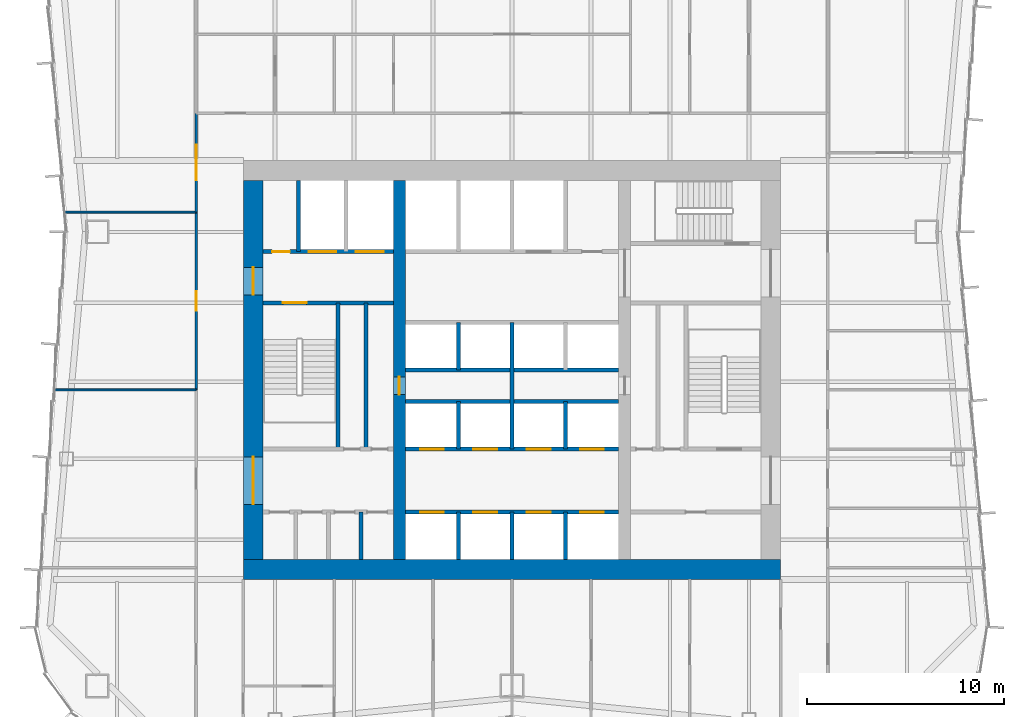
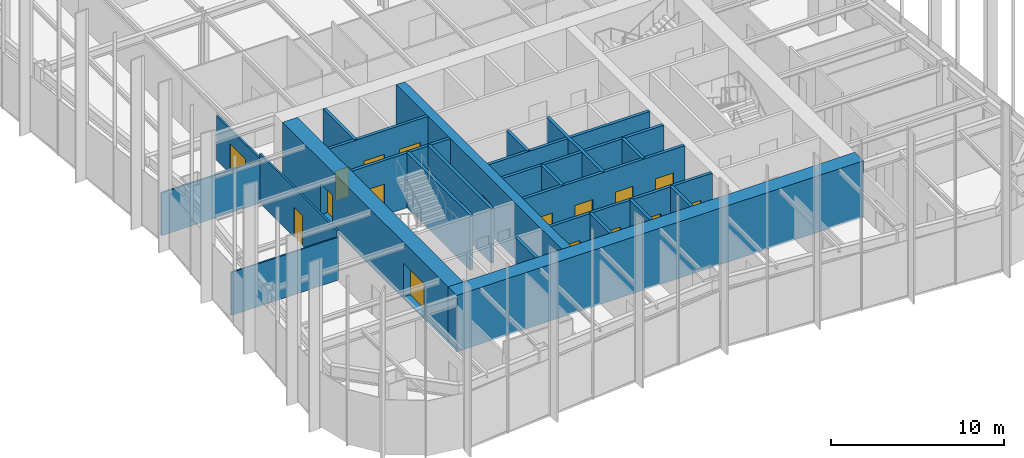
# One storey, part 10 of 14: 24 walls, 17 doors, 17 openings.
"""IFC4 building model written with IfcOpenShell, lengths in metres."""

from ifc_helpers import new_model, si_unit, direction, frame, frame_2d, origin, place, context, subcontext, project, spatial, rectangle, extrude, material, layer, layer_set, type_object, element, fill, save


model = new_model("IFC4")

# Units and contexts
model_context = context("Model", 3, precision=1e-05, world=origin(), true_north=direction((0.0, 1.0)))
body_context = subcontext(model_context, "Body", "Model", "MODEL_VIEW")
ifc_project = project(units=[si_unit("LENGTHUNIT", "METRE"), si_unit("AREAUNIT", "SQUARE_METRE"), si_unit("VOLUMEUNIT", "CUBIC_METRE"), si_unit("PLANEANGLEUNIT", "RADIAN"), si_unit("MASSUNIT", "GRAM", prefix="KILO")], contexts=[model_context])

# Site, building, storey
site_placement = place(None, origin())
site = spatial("IfcSite", under=ifc_project, at=site_placement, CompositionType="ELEMENT")
building_placement = place(site_placement, origin())
building = spatial("IfcBuilding", under=site, at=building_placement, Name="Verdant Reach Tower", CompositionType="ELEMENT")
storey_placement = place(building_placement, frame((0.0, 0.0, 150.0)))
storey = spatial("IfcBuildingStorey", under=building, at=storey_placement, Name="L34", CompositionType="ELEMENT", Elevation=150.0)

# Walls
ifc_material_1 = material(Name="Gypsum board on steel studs", Category="steel")
ifc_layer_1 = layer(ifc_material_1, 0.199951171875)
ifc_layer_set_1 = layer_set([ifc_layer_1], Name="CO-WALL-ROOM")
wall_type_1 = type_object("IfcWallType", Name="CO-WALL-ROOM", PredefinedType="PARTITIONING", material=ifc_layer_set_1)
wall_1_placement = place(storey_placement, frame((-7.64990234375, 18.39990234375, 0.0), z_axis=(0.0, 0.0, 1.0), x_axis=(0.0, 1.0, 0.0)))
element("IfcWall", 1, at=wall_1_placement, inside=storey, type_object=wall_type_1, Name="Core partition, L34", PredefinedType="PARTITIONING", context=body_context, shape_type="SweptSolid", body=[
    extrude(rectangle(XDim=2.400146484375, YDim=0.199951171875, at=frame_2d((1.2001953125, 0.0))), origin(), (0.0, 0.0, 1.0), 3.8701171875),
])
wall_2_placement = place(storey_placement, frame((-7.39990234375, 24.0, 0.0), z_axis=(0.0, 0.0, 1.0), x_axis=(0.0, 1.0, 0.0)))
element("IfcWall", 2, at=wall_2_placement, inside=storey, type_object=wall_type_1, Name="Core partition, L34", PredefinedType="PARTITIONING", context=body_context, shape_type="SweptSolid", body=[
    extrude(rectangle(XDim=7.39990234375, YDim=0.199951171875, at=frame_2d((3.699951171875, 0.0))), origin(), (0.0, 0.0, 1.0), 3.8701171875),
])

# Wall, openings, doors
ifc_material_2 = material(Name="Concrete C40/50", Category="concrete")
ifc_layer_2 = layer(ifc_material_2, 0.199951171875)
ifc_layer_set_2 = layer_set([ifc_layer_2], Name="CO-WALL-SHAFT")
wall_type_2 = type_object("IfcWallType", Name="CO-WALL-SHAFT", PredefinedType="PARTITIONING", material=ifc_layer_set_2)
wall_3_placement = place(storey_placement, frame((-5.39990234375, 20.800048828125, 0.0), z_axis=(0.0, 0.0, 1.0), x_axis=(1.0, 0.0, 0.0)))
wall_3 = element("IfcWall", 3, at=wall_3_placement, inside=storey, type_object=wall_type_2, Name="Lift shaft wall, L34", PredefinedType="PARTITIONING", context=body_context, shape_type="SweptSolid", body=[
    extrude(rectangle(XDim=10.7998046875, YDim=0.199951171875, at=frame_2d((5.39990234375, 0.0))), origin(), (0.0, 0.0, 1.0), 3.8701171875),
])
opening_1_placement = place(wall_3_placement, frame((0.75, 0.0, 0.0)))
opening_1 = element("IfcOpeningElement", 4, at=opening_1_placement, cuts=wall_3, Name="Opening LD-A1", PredefinedType="OPENING", context=body_context, shape_type="SweptSolid", body=[
    extrude(rectangle(XDim=1.199951171875, YDim=2.199951171875, at=frame_2d((0.60009765625, 1.10009765625))), frame((0.0, 0.10986328125, 0.0), z_axis=(0.0, -1.0, 0.0), x_axis=(1.0, 0.0, 0.0)), (0.0, 0.0, 1.0), 0.219970703125),
])
opening_2_placement = place(wall_3_placement, frame((3.449951171875, 0.0, 0.0)))
opening_2 = element("IfcOpeningElement", 5, at=opening_2_placement, cuts=wall_3, Name="Opening LD-A2", PredefinedType="OPENING", context=body_context, shape_type="SweptSolid", body=[
    extrude(rectangle(XDim=1.199951171875, YDim=2.199951171875, at=frame_2d((0.60009765625, 1.10009765625))), frame((0.0, 0.10986328125, 0.0), z_axis=(0.0, -1.0, 0.0), x_axis=(1.0, 0.0, 0.0)), (0.0, 0.0, 1.0), 0.219970703125),
])
opening_3_placement = place(wall_3_placement, frame((6.14990234375, 0.0, 0.0)))
opening_3 = element("IfcOpeningElement", 6, at=opening_3_placement, cuts=wall_3, Name="Opening LD-A3", PredefinedType="OPENING", context=body_context, shape_type="SweptSolid", body=[
    extrude(rectangle(XDim=1.199951171875, YDim=2.199951171875, at=frame_2d((0.60009765625, 1.10009765625))), frame((0.0, 0.10986328125, 0.0), z_axis=(0.0, -1.0, 0.0), x_axis=(1.0, 0.0, 0.0)), (0.0, 0.0, 1.0), 0.219970703125),
])
opening_4_placement = place(wall_3_placement, frame((8.85009765625, 0.0, 0.0)))
opening_4 = element("IfcOpeningElement", 7, at=opening_4_placement, cuts=wall_3, Name="Opening LD-A4", PredefinedType="OPENING", context=body_context, shape_type="SweptSolid", body=[
    extrude(rectangle(XDim=1.199951171875, YDim=2.199951171875, at=frame_2d((0.60009765625, 1.10009765625))), frame((0.0, 0.10986328125, 0.0), z_axis=(0.0, -1.0, 0.0), x_axis=(1.0, 0.0, 0.0)), (0.0, 0.0, 1.0), 0.219970703125),
])
ifc_material_3 = material(Name="Stainless steel", Category="steel")
door_type_1 = type_object("IfcDoorType", Name="CO-DOOR-LANDING", OperationType="SLIDING_TO_LEFT", PredefinedType="DOOR", material=ifc_material_3)
door_1_placement = place(opening_1_placement, origin())
door_1 = element("IfcDoor", 8, at=door_1_placement, inside=storey, type_object=door_type_1, Name="Landing door A1, L34", OperationType="SLIDING_TO_LEFT", OverallHeight=2.199951171875, OverallWidth=1.199951171875, PredefinedType="DOOR", context=body_context, shape_type="SweptSolid", body=[
    extrude(rectangle(XDim=1.199951171875, YDim=2.199951171875, at=frame_2d((0.60009765625, 1.10009765625))), frame((0.0, 0.02490234375, 0.0), z_axis=(0.0, -1.0, 0.0), x_axis=(1.0, 0.0, 0.0)), (0.0, 0.0, 1.0), 0.050048828125),
])
fill(opening_1, door_1)
door_2_placement = place(opening_2_placement, origin())
door_2 = element("IfcDoor", 9, at=door_2_placement, inside=storey, type_object=door_type_1, Name="Landing door A2, L34", OperationType="SLIDING_TO_LEFT", OverallHeight=2.199951171875, OverallWidth=1.199951171875, PredefinedType="DOOR", context=body_context, shape_type="SweptSolid", body=[
    extrude(rectangle(XDim=1.199951171875, YDim=2.199951171875, at=frame_2d((0.60009765625, 1.10009765625))), frame((0.0, 0.02490234375, 0.0), z_axis=(0.0, -1.0, 0.0), x_axis=(1.0, 0.0, 0.0)), (0.0, 0.0, 1.0), 0.050048828125),
])
fill(opening_2, door_2)
door_3_placement = place(opening_3_placement, origin())
door_3 = element("IfcDoor", 10, at=door_3_placement, inside=storey, type_object=door_type_1, Name="Landing door A3, L34", OperationType="SLIDING_TO_LEFT", OverallHeight=2.199951171875, OverallWidth=1.199951171875, PredefinedType="DOOR", context=body_context, shape_type="SweptSolid", body=[
    extrude(rectangle(XDim=1.199951171875, YDim=2.199951171875, at=frame_2d((0.60009765625, 1.10009765625))), frame((0.0, 0.02490234375, 0.0), z_axis=(0.0, -1.0, 0.0), x_axis=(1.0, 0.0, 0.0)), (0.0, 0.0, 1.0), 0.050048828125),
])
fill(opening_3, door_3)
door_4_placement = place(opening_4_placement, origin())
door_4 = element("IfcDoor", 11, at=door_4_placement, inside=storey, type_object=door_type_1, Name="Landing door A4, L34", OperationType="SLIDING_TO_LEFT", OverallHeight=2.199951171875, OverallWidth=1.199951171875, PredefinedType="DOOR", context=body_context, shape_type="SweptSolid", body=[
    extrude(rectangle(XDim=1.199951171875, YDim=2.199951171875, at=frame_2d((0.60009765625, 1.10009765625))), frame((0.0, 0.02490234375, 0.0), z_axis=(0.0, -1.0, 0.0), x_axis=(1.0, 0.0, 0.0)), (0.0, 0.0, 1.0), 0.050048828125),
])
fill(opening_4, door_4)

wall_4_placement = place(storey_placement, frame((-5.39990234375, 24.0, 0.0), z_axis=(0.0, 0.0, 1.0), x_axis=(1.0, 0.0, 0.0)))
wall_4 = element("IfcWall", 12, at=wall_4_placement, inside=storey, type_object=wall_type_2, Name="Lift shaft wall, L34", PredefinedType="PARTITIONING", context=body_context, shape_type="SweptSolid", body=[
    extrude(rectangle(XDim=10.7998046875, YDim=0.199951171875, at=frame_2d((5.39990234375, 0.0))), origin(), (0.0, 0.0, 1.0), 3.8701171875),
])
opening_5_placement = place(wall_4_placement, frame((0.75, 0.0, 0.0)))
opening_5 = element("IfcOpeningElement", 13, at=opening_5_placement, cuts=wall_4, Name="Opening LD-A5", PredefinedType="OPENING", context=body_context, shape_type="SweptSolid", body=[
    extrude(rectangle(XDim=1.199951171875, YDim=2.199951171875, at=frame_2d((0.60009765625, 1.10009765625))), frame((0.0, 0.10986328125, 0.0), z_axis=(0.0, -1.0, 0.0), x_axis=(1.0, 0.0, 0.0)), (0.0, 0.0, 1.0), 0.219970703125),
])
opening_6_placement = place(wall_4_placement, frame((3.449951171875, 0.0, 0.0)))
opening_6 = element("IfcOpeningElement", 14, at=opening_6_placement, cuts=wall_4, Name="Opening LD-A6", PredefinedType="OPENING", context=body_context, shape_type="SweptSolid", body=[
    extrude(rectangle(XDim=1.199951171875, YDim=2.199951171875, at=frame_2d((0.60009765625, 1.10009765625))), frame((0.0, 0.10986328125, 0.0), z_axis=(0.0, -1.0, 0.0), x_axis=(1.0, 0.0, 0.0)), (0.0, 0.0, 1.0), 0.219970703125),
])
opening_7_placement = place(wall_4_placement, frame((6.14990234375, 0.0, 0.0)))
opening_7 = element("IfcOpeningElement", 15, at=opening_7_placement, cuts=wall_4, Name="Opening LD-A7", PredefinedType="OPENING", context=body_context, shape_type="SweptSolid", body=[
    extrude(rectangle(XDim=1.199951171875, YDim=2.199951171875, at=frame_2d((0.60009765625, 1.10009765625))), frame((0.0, 0.10986328125, 0.0), z_axis=(0.0, -1.0, 0.0), x_axis=(1.0, 0.0, 0.0)), (0.0, 0.0, 1.0), 0.219970703125),
])
opening_8_placement = place(wall_4_placement, frame((8.85009765625, 0.0, 0.0)))
opening_8 = element("IfcOpeningElement", 16, at=opening_8_placement, cuts=wall_4, Name="Opening LD-A8", PredefinedType="OPENING", context=body_context, shape_type="SweptSolid", body=[
    extrude(rectangle(XDim=1.199951171875, YDim=2.199951171875, at=frame_2d((0.60009765625, 1.10009765625))), frame((0.0, 0.10986328125, 0.0), z_axis=(0.0, -1.0, 0.0), x_axis=(1.0, 0.0, 0.0)), (0.0, 0.0, 1.0), 0.219970703125),
])
door_5_placement = place(opening_5_placement, origin())
door_5 = element("IfcDoor", 17, at=door_5_placement, inside=storey, type_object=door_type_1, Name="Landing door A5, L34", OperationType="SLIDING_TO_LEFT", OverallHeight=2.199951171875, OverallWidth=1.199951171875, PredefinedType="DOOR", context=body_context, shape_type="SweptSolid", body=[
    extrude(rectangle(XDim=1.199951171875, YDim=2.199951171875, at=frame_2d((0.60009765625, 1.10009765625))), frame((0.0, 0.02490234375, 0.0), z_axis=(0.0, -1.0, 0.0), x_axis=(1.0, 0.0, 0.0)), (0.0, 0.0, 1.0), 0.050048828125),
])
fill(opening_5, door_5)
door_6_placement = place(opening_6_placement, origin())
door_6 = element("IfcDoor", 18, at=door_6_placement, inside=storey, type_object=door_type_1, Name="Landing door A6, L34", OperationType="SLIDING_TO_LEFT", OverallHeight=2.199951171875, OverallWidth=1.199951171875, PredefinedType="DOOR", context=body_context, shape_type="SweptSolid", body=[
    extrude(rectangle(XDim=1.199951171875, YDim=2.199951171875, at=frame_2d((0.60009765625, 1.10009765625))), frame((0.0, 0.02490234375, 0.0), z_axis=(0.0, -1.0, 0.0), x_axis=(1.0, 0.0, 0.0)), (0.0, 0.0, 1.0), 0.050048828125),
])
fill(opening_6, door_6)
door_7_placement = place(opening_7_placement, origin())
door_7 = element("IfcDoor", 19, at=door_7_placement, inside=storey, type_object=door_type_1, Name="Landing door A7, L34", OperationType="SLIDING_TO_LEFT", OverallHeight=2.199951171875, OverallWidth=1.199951171875, PredefinedType="DOOR", context=body_context, shape_type="SweptSolid", body=[
    extrude(rectangle(XDim=1.199951171875, YDim=2.199951171875, at=frame_2d((0.60009765625, 1.10009765625))), frame((0.0, 0.02490234375, 0.0), z_axis=(0.0, -1.0, 0.0), x_axis=(1.0, 0.0, 0.0)), (0.0, 0.0, 1.0), 0.050048828125),
])
fill(opening_7, door_7)
door_8_placement = place(opening_8_placement, origin())
door_8 = element("IfcDoor", 20, at=door_8_placement, inside=storey, type_object=door_type_1, Name="Landing door A8, L34", OperationType="SLIDING_TO_LEFT", OverallHeight=2.199951171875, OverallWidth=1.199951171875, PredefinedType="DOOR", context=body_context, shape_type="SweptSolid", body=[
    extrude(rectangle(XDim=1.199951171875, YDim=2.199951171875, at=frame_2d((0.60009765625, 1.10009765625))), frame((0.0, 0.02490234375, 0.0), z_axis=(0.0, -1.0, 0.0), x_axis=(1.0, 0.0, 0.0)), (0.0, 0.0, 1.0), 0.050048828125),
])
fill(opening_8, door_8)

# Walls
for number, where, z_axis, x_axis, name in (
    (21, (-5.39990234375, 26.39990234375, 0.0), (0.0, 0.0, 1.0), (1.0, 0.0, 0.0), "Lift shaft wall, L34"),
    (22, (-5.39990234375, 28.0, 0.0), (0.0, 0.0, 1.0), (1.0, 0.0, 0.0), "Lift shaft wall, L34"),
):
    element("IfcWall", number, at=place(storey_placement, frame(where, z_axis=z_axis, x_axis=x_axis)), inside=storey, type_object=wall_type_2, Name=name, PredefinedType="PARTITIONING", context=body_context, shape_type="SweptSolid", body=[
        extrude(rectangle(XDim=10.7998046875, YDim=0.199951171875, at=frame_2d((5.39990234375, 0.0))), origin(), (0.0, 0.0, 1.0), 3.8701171875),
    ])

# Wall, openings, doors
wall_5_placement = place(storey_placement, frame((-12.60009765625, 34.0, 0.0), z_axis=(0.0, 0.0, 1.0), x_axis=(1.0, 0.0, 0.0)))
wall_5 = element("IfcWall", 23, at=wall_5_placement, inside=storey, type_object=wall_type_2, Name="Lift shaft wall, L34", PredefinedType="PARTITIONING", context=body_context, shape_type="SweptSolid", body=[
    extrude(rectangle(XDim=6.60009765625, YDim=0.199951171875, at=frame_2d((3.300048828125, 0.0))), origin(), (0.0, 0.0, 1.0), 3.8701171875),
])
opening_9_placement = place(wall_5_placement, frame((4.699951171875, 0.0, 0.0)))
opening_9 = element("IfcOpeningElement", 24, at=opening_9_placement, cuts=wall_5, Name="Opening LD-F1", PredefinedType="OPENING", context=body_context, shape_type="SweptSolid", body=[
    extrude(rectangle(XDim=1.39990234375, YDim=2.199951171875, at=frame_2d((0.699951171875, 1.10009765625))), frame((0.0, 0.10986328125, 0.0), z_axis=(0.0, -1.0, 0.0), x_axis=(1.0, 0.0, 0.0)), (0.0, 0.0, 1.0), 0.219970703125),
])
opening_10_placement = place(wall_5_placement, frame((2.300048828125, 0.0, 0.0)))
opening_10 = element("IfcOpeningElement", 25, at=opening_10_placement, cuts=wall_5, Name="Opening LD-F2", PredefinedType="OPENING", context=body_context, shape_type="SweptSolid", body=[
    extrude(rectangle(XDim=1.39990234375, YDim=2.199951171875, at=frame_2d((0.699951171875, 1.10009765625))), frame((0.0, 0.10986328125, 0.0), z_axis=(0.0, -1.0, 0.0), x_axis=(1.0, 0.0, 0.0)), (0.0, 0.0, 1.0), 0.219970703125),
])
opening_11_placement = place(wall_5_placement, frame((0.449951171875, 0.0, 0.0)))
opening_11 = element("IfcOpeningElement", 26, at=opening_11_placement, cuts=wall_5, Name="Opening RD", PredefinedType="OPENING", context=body_context, shape_type="SweptSolid", body=[
    extrude(rectangle(XDim=0.89990234375, YDim=2.10009765625, at=frame_2d((0.449951171875, 1.050048828125))), frame((0.0, 0.10986328125, 0.0), z_axis=(0.0, -1.0, 0.0), x_axis=(1.0, 0.0, 0.0)), (0.0, 0.0, 1.0), 0.219970703125),
])
door_type_2 = type_object("IfcDoorType", Name="CO-DOOR-LANDING-FF", OperationType="SLIDING_TO_LEFT", PredefinedType="DOOR", material=ifc_material_3)
door_9_placement = place(opening_9_placement, origin())
door_9 = element("IfcDoor", 27, at=door_9_placement, inside=storey, type_object=door_type_2, Name="Landing door F1, L34", OperationType="SLIDING_TO_LEFT", OverallHeight=2.199951171875, OverallWidth=1.39990234375, PredefinedType="DOOR", context=body_context, shape_type="SweptSolid", body=[
    extrude(rectangle(XDim=1.39990234375, YDim=2.199951171875, at=frame_2d((0.699951171875, 1.10009765625))), frame((0.0, 0.02490234375, 0.0), z_axis=(0.0, -1.0, 0.0), x_axis=(1.0, 0.0, 0.0)), (0.0, 0.0, 1.0), 0.050048828125),
])
fill(opening_9, door_9)
door_10_placement = place(opening_10_placement, origin())
door_10 = element("IfcDoor", 28, at=door_10_placement, inside=storey, type_object=door_type_2, Name="Landing door F2, L34", OperationType="SLIDING_TO_LEFT", OverallHeight=2.199951171875, OverallWidth=1.39990234375, PredefinedType="DOOR", context=body_context, shape_type="SweptSolid", body=[
    extrude(rectangle(XDim=1.39990234375, YDim=2.199951171875, at=frame_2d((0.699951171875, 1.10009765625))), frame((0.0, 0.02490234375, 0.0), z_axis=(0.0, -1.0, 0.0), x_axis=(1.0, 0.0, 0.0)), (0.0, 0.0, 1.0), 0.050048828125),
])
fill(opening_10, door_10)
ifc_material_4 = material(Name="Steel", Category="steel")
door_type_3 = type_object("IfcDoorType", Name="CO-DOOR-RISER", OperationType="NOTDEFINED", PredefinedType="DOOR", material=ifc_material_4)
door_11_placement = place(opening_11_placement, origin())
door_11 = element("IfcDoor", 29, at=door_11_placement, inside=storey, type_object=door_type_3, Name="Core room door, L34", OperationType="SINGLE_SWING_RIGHT", OverallHeight=2.10009765625, OverallWidth=0.89990234375, PredefinedType="DOOR", context=body_context, shape_type="SweptSolid", body=[
    extrude(rectangle(XDim=0.89990234375, YDim=2.10009765625, at=frame_2d((0.449951171875, 1.050048828125))), frame((0.0, 0.02490234375, 0.0), z_axis=(0.0, -1.0, 0.0), x_axis=(1.0, 0.0, 0.0)), (0.0, 0.0, 1.0), 0.050048828125),
])
fill(opening_11, door_11)

# Walls
wall_6_placement = place(storey_placement, frame((-10.800048828125, 34.0, 0.0), z_axis=(0.0, 0.0, 1.0), x_axis=(0.0, 1.0, 0.0)))
element("IfcWall", 30, at=wall_6_placement, inside=storey, type_object=wall_type_2, Name="Lift shaft wall, L34", PredefinedType="PARTITIONING", context=body_context, shape_type="SweptSolid", body=[
    extrude(rectangle(XDim=3.60009765625, YDim=0.199951171875, at=frame_2d((1.800048828125, 0.0))), origin(), (0.0, 0.0, 1.0), 3.8701171875),
])
wall_7_placement = place(storey_placement, frame((-2.699951171875, 18.39990234375, 0.0), z_axis=(0.0, 0.0, 1.0), x_axis=(0.0, 1.0, 0.0)))
element("IfcWall", 31, at=wall_7_placement, inside=storey, type_object=wall_type_2, Name="Lift shaft wall, L34", PredefinedType="PARTITIONING", context=body_context, shape_type="SweptSolid", body=[
    extrude(rectangle(XDim=2.400146484375, YDim=0.199951171875, at=frame_2d((1.2001953125, 0.0))), origin(), (0.0, 0.0, 1.0), 3.8701171875),
])
for number, where, z_axis, x_axis, name in (
    (32, (-2.699951171875, 24.0, 0.0), (0.0, 0.0, 1.0), (0.0, 1.0, 0.0), "Lift shaft wall, L34"),
    (33, (-2.699951171875, 28.0, 0.0), (0.0, 0.0, 1.0), (0.0, 1.0, 0.0), "Lift shaft wall, L34"),
):
    element("IfcWall", number, at=place(storey_placement, frame(where, z_axis=z_axis, x_axis=x_axis)), inside=storey, type_object=wall_type_2, Name=name, PredefinedType="PARTITIONING", context=body_context, shape_type="SweptSolid", body=[
        extrude(rectangle(XDim=2.39990234375, YDim=0.199951171875, at=frame_2d((1.199951171875, 0.0))), origin(), (0.0, 0.0, 1.0), 3.8701171875),
    ])
wall_8_placement = place(storey_placement, frame((0.0, 18.39990234375, 0.0), z_axis=(0.0, 0.0, 1.0), x_axis=(0.0, 1.0, 0.0)))
element("IfcWall", 34, at=wall_8_placement, inside=storey, type_object=wall_type_2, Name="Lift shaft wall, L34", PredefinedType="PARTITIONING", context=body_context, shape_type="SweptSolid", body=[
    extrude(rectangle(XDim=2.400146484375, YDim=0.199951171875, at=frame_2d((1.2001953125, 0.0))), origin(), (0.0, 0.0, 1.0), 3.8701171875),
])
wall_9_placement = place(storey_placement, frame((0.0, 24.0, 0.0), z_axis=(0.0, 0.0, 1.0), x_axis=(0.0, 1.0, 0.0)))
element("IfcWall", 35, at=wall_9_placement, inside=storey, type_object=wall_type_2, Name="Lift shaft wall, L34", PredefinedType="PARTITIONING", context=body_context, shape_type="SweptSolid", body=[
    extrude(rectangle(XDim=6.39990234375, YDim=0.199951171875, at=frame_2d((3.199951171875, 0.0))), origin(), (0.0, 0.0, 1.0), 3.8701171875),
])
wall_10_placement = place(storey_placement, frame((2.699951171875, 18.39990234375, 0.0), z_axis=(0.0, 0.0, 1.0), x_axis=(0.0, 1.0, 0.0)))
element("IfcWall", 36, at=wall_10_placement, inside=storey, type_object=wall_type_2, Name="Lift shaft wall, L34", PredefinedType="PARTITIONING", context=body_context, shape_type="SweptSolid", body=[
    extrude(rectangle(XDim=2.400146484375, YDim=0.199951171875, at=frame_2d((1.2001953125, 0.0))), origin(), (0.0, 0.0, 1.0), 3.8701171875),
])
wall_11_placement = place(storey_placement, frame((2.699951171875, 24.0, 0.0), z_axis=(0.0, 0.0, 1.0), x_axis=(0.0, 1.0, 0.0)))
element("IfcWall", 37, at=wall_11_placement, inside=storey, type_object=wall_type_2, Name="Lift shaft wall, L34", PredefinedType="PARTITIONING", context=body_context, shape_type="SweptSolid", body=[
    extrude(rectangle(XDim=2.39990234375, YDim=0.199951171875, at=frame_2d((1.199951171875, 0.0))), origin(), (0.0, 0.0, 1.0), 3.8701171875),
])

# Wall, opening, door
ifc_layer_3 = layer(ifc_material_2, 0.199951171875)
ifc_layer_set_3 = layer_set([ifc_layer_3], Name="CO-WALL-STAIR")
wall_type_3 = type_object("IfcWallType", Name="CO-WALL-STAIR", PredefinedType="PARTITIONING", material=ifc_layer_set_3)
wall_12_placement = place(storey_placement, frame((-12.60009765625, 31.39990234375, 0.0), z_axis=(0.0, 0.0, 1.0), x_axis=(1.0, 0.0, 0.0)))
wall_12 = element("IfcWall", 38, at=wall_12_placement, inside=storey, type_object=wall_type_3, Name="Stair enclosure wall, L34", PredefinedType="PARTITIONING", context=body_context, shape_type="SweptSolid", body=[
    extrude(rectangle(XDim=6.60009765625, YDim=0.199951171875, at=frame_2d((3.300048828125, 0.0))), origin(), (0.0, 0.0, 1.0), 3.8701171875),
])
opening_12_placement = place(wall_12_placement, frame((1.0, 0.0, 0.0)))
opening_12 = element("IfcOpeningElement", 39, at=opening_12_placement, cuts=wall_12, Name="Opening SD", PredefinedType="OPENING", context=body_context, shape_type="SweptSolid", body=[
    extrude(rectangle(XDim=1.199951171875, YDim=2.199951171875, at=frame_2d((0.60009765625, 1.10009765625))), frame((0.0, 0.10986328125, 0.0), z_axis=(0.0, -1.0, 0.0), x_axis=(1.0, 0.0, 0.0)), (0.0, 0.0, 1.0), 0.219970703125),
])
door_type_4 = type_object("IfcDoorType", Name="CO-DOOR-STAIR", OperationType="NOTDEFINED", PredefinedType="DOOR", material=ifc_material_4)
door_12_placement = place(opening_12_placement, origin())
door_12 = element("IfcDoor", 40, at=door_12_placement, inside=storey, type_object=door_type_4, Name="Stair door, L34", OperationType="SINGLE_SWING_RIGHT", OverallHeight=2.199951171875, OverallWidth=1.199951171875, PredefinedType="DOOR", context=body_context, shape_type="SweptSolid", body=[
    extrude(rectangle(XDim=1.199951171875, YDim=2.199951171875, at=frame_2d((0.60009765625, 1.10009765625))), frame((0.0, 0.02490234375, 0.0), z_axis=(0.0, -1.0, 0.0), x_axis=(1.0, 0.0, 0.0)), (0.0, 0.0, 1.0), 0.050048828125),
])
fill(opening_12, door_12)

# Walls
wall_13_placement = place(storey_placement, frame((-8.800048828125, 24.0, 0.0), z_axis=(0.0, 0.0, 1.0), x_axis=(0.0, 1.0, 0.0)))
element("IfcWall", 41, at=wall_13_placement, inside=storey, type_object=wall_type_3, Name="Stair enclosure wall, L34", PredefinedType="PARTITIONING", context=body_context, shape_type="SweptSolid", body=[
    extrude(rectangle(XDim=7.39990234375, YDim=0.199951171875, at=frame_2d((3.699951171875, 0.0))), origin(), (0.0, 0.0, 1.0), 3.8701171875),
])
ifc_layer_4 = layer(ifc_material_1, 0.10009765625)
ifc_layer_set_4 = layer_set([ifc_layer_4], Name="FL-W1 Partition 100")
wall_type_4 = type_object("IfcWallType", Name="FL-W1 Partition 100", PredefinedType="PARTITIONING", material=ifc_layer_set_4)
wall_14_placement = place(storey_placement, frame((-16.0, 27.0, 0.0), z_axis=(0.0, 0.0, 1.0), x_axis=(-1.0, 0.0, 0.0)))
element("IfcWall", 42, at=wall_14_placement, inside=storey, type_object=wall_type_4, Name="Partition 34.23", PredefinedType="PARTITIONING", context=body_context, shape_type="SweptSolid", body=[
    extrude(rectangle(XDim=7.179931640625, YDim=0.10009765625, at=frame_2d((3.58984375, 0.0))), origin(), (0.0, 0.0, 1.0), 3.0400390625),
])
wall_15_placement = place(storey_placement, frame((-16.0, 36.0, 0.0), z_axis=(0.0, 0.0, 1.0), x_axis=(-1.0, 0.0, 0.0)))
element("IfcWall", 43, at=wall_15_placement, inside=storey, type_object=wall_type_4, Name="Partition 34.24", PredefinedType="PARTITIONING", context=body_context, shape_type="SweptSolid", body=[
    extrude(rectangle(XDim=6.655029296875, YDim=0.10009765625, at=frame_2d((3.32763671875, 0.0))), origin(), (0.0, 0.0, 1.0), 3.0400390625),
])

# Wall, opening, door
ifc_material_5 = material(Name="Gypsum board on steel studs, fire rated", Category="steel")
ifc_layer_5 = layer(ifc_material_5, 0.125)
ifc_layer_set_5 = layer_set([ifc_layer_5], Name="FL-W2 Corridor wall 125")
wall_type_5 = type_object("IfcWallType", Name="FL-W2 Corridor wall 125", PredefinedType="PARTITIONING", material=ifc_layer_set_5)
wall_16_placement = place(storey_placement, frame((-16.0, 27.0, 0.0), z_axis=(0.0, 0.0, 1.0), x_axis=(0.0, 1.0, 0.0)))
wall_16 = element("IfcWall", 44, at=wall_16_placement, inside=storey, type_object=wall_type_5, Name="Partition 34.03", PredefinedType="PARTITIONING", context=body_context, shape_type="SweptSolid", body=[
    extrude(rectangle(XDim=9.0, YDim=0.125, at=frame_2d((4.5, 0.0))), origin(), (0.0, 0.0, 1.0), 3.47998046875),
])
opening_13_placement = place(wall_16_placement, frame((4.0, 0.0, 0.0)))
opening_13 = element("IfcOpeningElement", 45, at=opening_13_placement, cuts=wall_16, Name="Opening D2", PredefinedType="OPENING", context=body_context, shape_type="SweptSolid", body=[
    extrude(rectangle(XDim=1.0, YDim=2.10009765625, at=frame_2d((0.5, 1.050048828125))), frame((0.0, 0.072509765625, 0.0), z_axis=(0.0, -1.0, 0.0), x_axis=(1.0, 0.0, 0.0)), (0.0, 0.0, 1.0), 0.14501953125),
])
ifc_material_6 = material(Name="Timber door leaf, fire rated", Category="wood")
door_type_5 = type_object("IfcDoorType", Name="FL-D2 Entrance door 1000x2100 FD30", OperationType="NOTDEFINED", PredefinedType="DOOR", material=ifc_material_6)
door_13_placement = place(opening_13_placement, origin())
door_13 = element("IfcDoor", 46, at=door_13_placement, inside=storey, type_object=door_type_5, Name="Door 34-003", OperationType="SINGLE_SWING_LEFT", OverallHeight=2.10009765625, OverallWidth=1.0, PredefinedType="DOOR", context=body_context, shape_type="SweptSolid", body=[
    extrude(rectangle(XDim=1.0, YDim=2.10009765625, at=frame_2d((0.5, 1.050048828125))), frame((0.0, 0.02490234375, 0.0), z_axis=(0.0, -1.0, 0.0), x_axis=(1.0, 0.0, 0.0)), (0.0, 0.0, 1.0), 0.050048828125),
])
fill(opening_13, door_13)

wall_17_placement = place(storey_placement, frame((-16.0, 41.00390625, 0.0), z_axis=(0.0, 0.0, 1.0), x_axis=(0.0, -1.0, 0.0)))
wall_17 = element("IfcWall", 47, at=wall_17_placement, inside=storey, type_object=wall_type_5, Name="Partition 34.04", PredefinedType="PARTITIONING", context=body_context, shape_type="SweptSolid", body=[
    extrude(rectangle(XDim=5.00390625, YDim=0.125, at=frame_2d((2.501953125, 0.0))), origin(), (0.0, 0.0, 1.0), 3.139892578125),
])
opening_14_placement = place(wall_17_placement, frame((1.60205078125, 0.0, 0.0)))
opening_14 = element("IfcOpeningElement", 48, at=opening_14_placement, cuts=wall_17, Name="Opening D4", PredefinedType="OPENING", context=body_context, shape_type="SweptSolid", body=[
    extrude(rectangle(XDim=1.800048828125, YDim=2.10009765625, at=frame_2d((0.89990234375, 1.050048828125))), frame((0.0, 0.072509765625, 0.0), z_axis=(0.0, -1.0, 0.0), x_axis=(1.0, 0.0, 0.0)), (0.0, 0.0, 1.0), 0.14501953125),
])
ifc_material_7 = material(Name="Timber door leaves, fire rated", Category="wood")
door_type_6 = type_object("IfcDoorType", Name="FL-D4 Double door 1800x2100 FD30", OperationType="DOUBLE_DOOR_SINGLE_SWING", PredefinedType="DOOR", material=ifc_material_7)
door_14_placement = place(opening_14_placement, origin())
door_14 = element("IfcDoor", 49, at=door_14_placement, inside=storey, type_object=door_type_6, Name="Door 34-004", OperationType="DOUBLE_DOOR_SINGLE_SWING", OverallHeight=2.10009765625, OverallWidth=1.800048828125, PredefinedType="DOOR", context=body_context, shape_type="SweptSolid", body=[
    extrude(rectangle(XDim=1.800048828125, YDim=2.10009765625, at=frame_2d((0.89990234375, 1.050048828125))), frame((0.0, 0.02490234375, 0.0), z_axis=(0.0, -1.0, 0.0), x_axis=(1.0, 0.0, 0.0)), (0.0, 0.0, 1.0), 0.050048828125),
])
fill(opening_14, door_14)

# Wall
ifc_material_8 = material(Name="Concrete C70/85", Category="concrete")
ifc_layer_6 = layer(ifc_material_8, 1.0)
ifc_layer_set_6 = layer_set([ifc_layer_6], Name="ST-CORE-WALL-1000")
wall_type_6 = type_object("IfcWallType", Name="ST-CORE-WALL-1000", PredefinedType="SHEAR", material=ifc_layer_set_6)
wall_18_placement = place(storey_placement, frame((-13.60009765625, 17.89990234375, -0.1298828125), z_axis=(0.0, 0.0, 1.0), x_axis=(1.0, 0.0, 0.0)))
element("IfcWall", 50, at=wall_18_placement, inside=storey, type_object=wall_type_6, Name="Core wall S, L34", PredefinedType="SHEAR", context=body_context, shape_type="SweptSolid", body=[
    extrude(rectangle(XDim=27.2001953125, YDim=1.0, at=frame_2d((13.60009765625, 0.0))), origin(), (0.0, 0.0, 1.0), 4.0),
])

# Wall, openings, doors
wall_19_placement = place(storey_placement, frame((-13.10009765625, 18.39990234375, -0.1298828125), z_axis=(0.0, 0.0, 1.0), x_axis=(0.0, 1.0, 0.0)))
wall_19 = element("IfcWall", 51, at=wall_19_placement, inside=storey, type_object=wall_type_6, Name="Core wall W, L34", PredefinedType="SHEAR", context=body_context, shape_type="SweptSolid", body=[
    extrude(rectangle(XDim=19.2001953125, YDim=1.0, at=frame_2d((9.60009765625, 0.0))), origin(), (0.0, 0.0, 1.0), 4.0),
])
opening_15_placement = place(wall_19_placement, frame((2.800048828125, 0.0, 0.1298828125)))
opening_15 = element("IfcOpeningElement", 52, at=opening_15_placement, cuts=wall_19, Name="Opening LB", PredefinedType="OPENING", context=body_context, shape_type="SweptSolid", body=[
    extrude(rectangle(XDim=2.39990234375, YDim=2.39990234375, at=frame_2d((1.199951171875, 1.199951171875))), frame((0.0, 0.510009765625, 0.0), z_axis=(0.0, -1.0, 0.0), x_axis=(1.0, 0.0, 0.0)), (0.0, 0.0, 1.0), 1.02001953125),
])
opening_16_placement = place(wall_19_placement, frame((13.39990234375, 0.0, 0.1298828125)))
opening_16 = element("IfcOpeningElement", 53, at=opening_16_placement, cuts=wall_19, Name="Opening FL", PredefinedType="OPENING", context=body_context, shape_type="SweptSolid", body=[
    extrude(rectangle(XDim=1.39990234375, YDim=2.199951171875, at=frame_2d((0.699951171875, 1.10009765625))), frame((0.0, 0.510009765625, 0.0), z_axis=(0.0, -1.0, 0.0), x_axis=(1.0, 0.0, 0.0)), (0.0, 0.0, 1.0), 1.02001953125),
])
door_type_7 = type_object("IfcDoorType", Name="CO-DOOR-FFL", OperationType="NOTDEFINED", PredefinedType="DOOR", material=ifc_material_4)
door_15_placement = place(opening_16_placement, origin())
door_15 = element("IfcDoor", 54, at=door_15_placement, inside=storey, type_object=door_type_7, Name="Core entrance door, L34", OperationType="SINGLE_SWING_RIGHT", OverallHeight=2.199951171875, OverallWidth=1.39990234375, PredefinedType="DOOR", context=body_context, shape_type="SweptSolid", body=[
    extrude(rectangle(XDim=1.39990234375, YDim=2.199951171875, at=frame_2d((0.699951171875, 1.10009765625))), frame((0.0, 0.02490234375, 0.0), z_axis=(0.0, -1.0, 0.0), x_axis=(1.0, 0.0, 0.0)), (0.0, 0.0, 1.0), 0.050048828125),
])
fill(opening_16, door_15)
ifc_material_9 = material(Name="Glass and steel", Category="steel")
door_type_8 = type_object("IfcDoorType", Name="CO-DOOR-LOBBY", OperationType="DOUBLE_DOOR_SINGLE_SWING", PredefinedType="DOOR", material=ifc_material_9)
door_16_placement = place(opening_15_placement, origin())
door_16 = element("IfcDoor", 55, at=door_16_placement, inside=storey, type_object=door_type_8, Name="Core entrance door, L34", OperationType="DOUBLE_DOOR_SINGLE_SWING", OverallHeight=2.39990234375, OverallWidth=2.39990234375, PredefinedType="DOOR", context=body_context, shape_type="SweptSolid", body=[
    extrude(rectangle(XDim=2.39990234375, YDim=2.39990234375, at=frame_2d((1.199951171875, 1.199951171875))), frame((0.0, 0.02490234375, 0.0), z_axis=(0.0, -1.0, 0.0), x_axis=(1.0, 0.0, 0.0)), (0.0, 0.0, 1.0), 0.050048828125),
])
fill(opening_15, door_16)

# Wall, opening, door
ifc_layer_7 = layer(ifc_material_8, 0.60009765625)
ifc_layer_set_7 = layer_set([ifc_layer_7], Name="ST-CORE-WALL-600")
wall_type_7 = type_object("IfcWallType", Name="ST-CORE-WALL-600", PredefinedType="SHEAR", material=ifc_layer_set_7)
wall_20_placement = place(storey_placement, frame((-5.699951171875, 18.39990234375, -0.1298828125), z_axis=(0.0, 0.0, 1.0), x_axis=(0.0, 1.0, 0.0)))
wall_20 = element("IfcWall", 56, at=wall_20_placement, inside=storey, type_object=wall_type_7, Name="Core wall XW, L34", PredefinedType="SHEAR", context=body_context, shape_type="SweptSolid", body=[
    extrude(rectangle(XDim=19.2001953125, YDim=0.60009765625, at=frame_2d((9.60009765625, 0.0))), origin(), (0.0, 0.0, 1.0), 4.0),
])
opening_17_placement = place(wall_20_placement, frame((8.35009765625, 0.0, 0.1298828125)))
opening_17 = element("IfcOpeningElement", 57, at=opening_17_placement, cuts=wall_20, Name="Opening RD", PredefinedType="OPENING", context=body_context, shape_type="SweptSolid", body=[
    extrude(rectangle(XDim=0.89990234375, YDim=2.10009765625, at=frame_2d((0.449951171875, 1.050048828125))), frame((0.0, 0.31005859375, 0.0), z_axis=(0.0, -1.0, 0.0), x_axis=(1.0, 0.0, 0.0)), (0.0, 0.0, 1.0), 0.6201171875),
])
door_17_placement = place(opening_17_placement, origin())
door_17 = element("IfcDoor", 58, at=door_17_placement, inside=storey, type_object=door_type_3, Name="Riser door, L34", OperationType="SINGLE_SWING_LEFT", OverallHeight=2.10009765625, OverallWidth=0.89990234375, PredefinedType="DOOR", context=body_context, shape_type="SweptSolid", body=[
    extrude(rectangle(XDim=0.89990234375, YDim=2.10009765625, at=frame_2d((0.449951171875, 1.050048828125))), frame((0.0, 0.02490234375, 0.0), z_axis=(0.0, -1.0, 0.0), x_axis=(1.0, 0.0, 0.0)), (0.0, 0.0, 1.0), 0.050048828125),
])
fill(opening_17, door_17)

save(model, "model.ifc")
